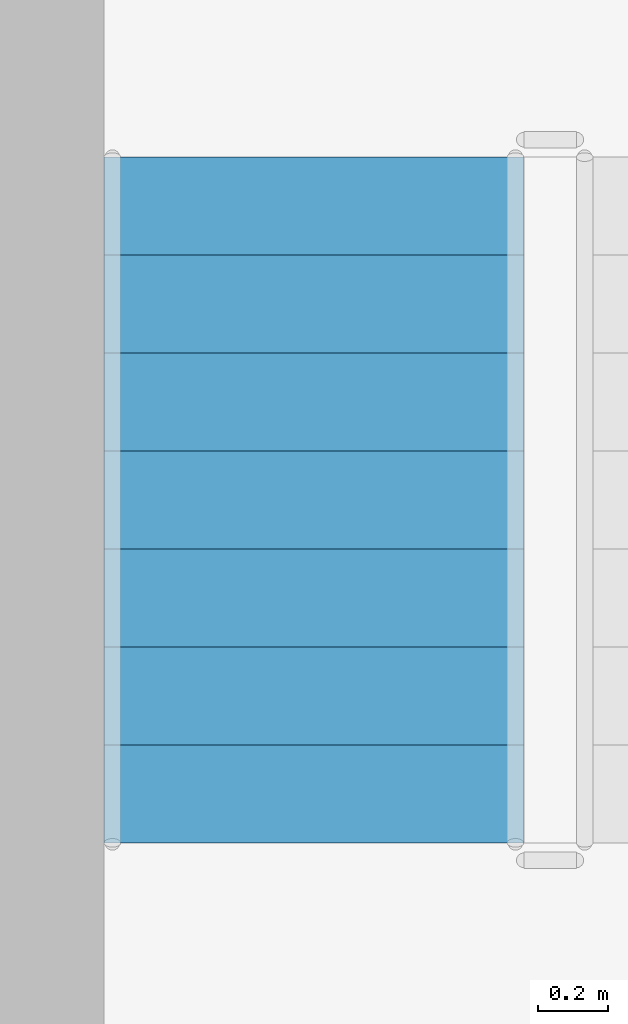
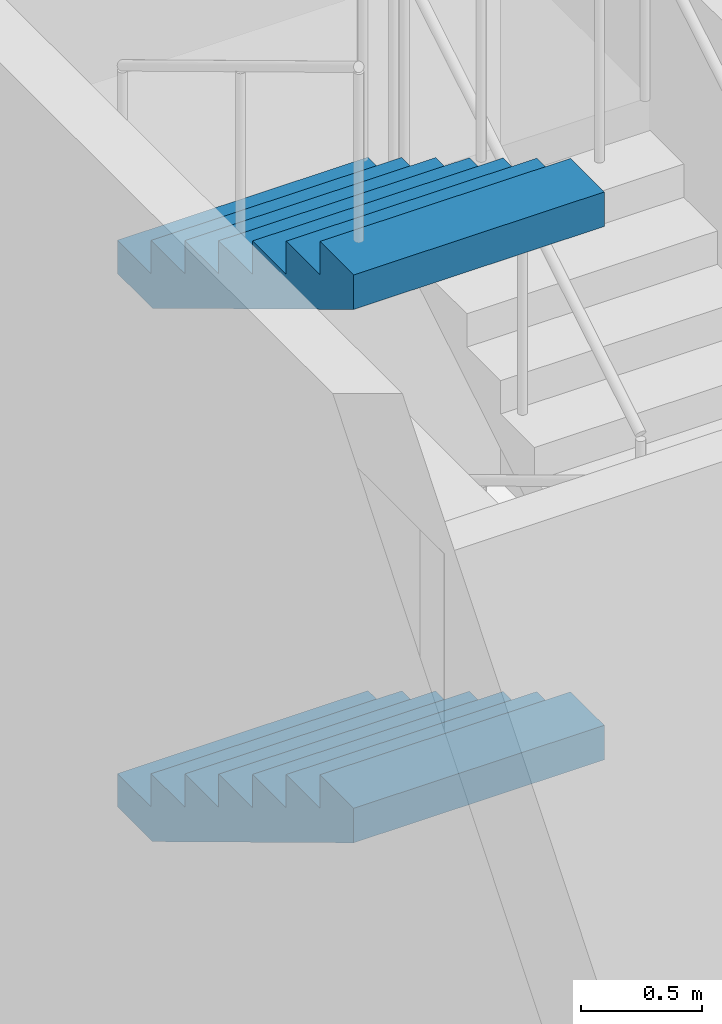
# One storey, part 55 of 101: 2 stair flights, 1 element without a shape of its own.
"""IFC4 building model written with IfcOpenShell, lengths in metres."""

import ifcopenshell
import ifcopenshell.guid

model = None  # the IFC model being written
_history = None  # IfcOwnerHistory: only IFC2X3 demands one
_inside = {}  # id of a spatial element -> (the spatial element, [elements in it])
_under = {}  # id of a project, library or spatial element -> (it, [spatial elements below it])
_declared = {}  # id of a project -> (the project, [libraries it declares])
_typed = {}  # id of a type object -> (the type object, [elements of that type])
_made_of = {}  # id of a material, layer set ... -> (it, [elements and type objects made of it])


def new_model(schema):
    """Start an empty IFC model of exactly this schema.

    Asked for "IFC4X3", IfcOpenShell would pick the latest addendum, in which some entities
    have other attributes; the version numbers below select the first issue.
    IFC2X3 requires an IfcOwnerHistory on every rooted entity: one is made here for all.
    """
    global model, _history
    if schema == "IFC4X3":
        model = ifcopenshell.file(schema_version=(4, 3, 0, 0))
    else:
        model = ifcopenshell.file(schema=schema)
    _inside.clear()
    _under.clear()
    _declared.clear()
    _typed.clear()
    _made_of.clear()
    _history = None
    if model.schema == "IFC2X3":
        org = make("IfcOrganization", Name="unknown")
        user = make(
            "IfcPersonAndOrganization",
            ThePerson=make("IfcPerson", FamilyName="unknown"),
            TheOrganization=org,
        )
        app = make(
            "IfcApplication",
            ApplicationDeveloper=org,
            Version="unknown",
            ApplicationFullName="unknown",
            ApplicationIdentifier="unknown",
        )
        _history = make(
            "IfcOwnerHistory",
            OwningUser=user,
            OwningApplication=app,
            ChangeAction="ADDED",
            CreationDate=0,
        )
    return model


def make(cls, **values):
    """One entity of the class cls with the attributes given. An attribute that is None is left unset."""
    return model.create_entity(
        cls, **{name: value for name, value in values.items() if value is not None}
    )


def rooted(cls, **values):
    """An entity with a GlobalId (a new one), such as an element, a storey or a relation."""
    return make(cls, GlobalId=ifcopenshell.guid.new(), OwnerHistory=_history, **values)


def si_unit(unit_type, name, prefix=None):
    """IfcSIUnit, for example si_unit("LENGTHUNIT", "METRE", prefix="MILLI")."""
    return make("IfcSIUnit", UnitType=unit_type, Prefix=prefix, Name=name)


def assignment(units):
    """IfcUnitAssignment: the units of a project."""
    return None if units is None else make("IfcUnitAssignment", Units=units)


def point(xyz):
    """IfcCartesianPoint."""
    return None if xyz is None else make("IfcCartesianPoint", Coordinates=xyz)


def direction(xyz):
    """IfcDirection."""
    return None if xyz is None else make("IfcDirection", DirectionRatios=xyz)


def frame(location, z_axis=None, x_axis=None):
    """IfcAxis2Placement3D, a coordinate frame: its origin and axes. An axis left out is left unset."""
    return make(
        "IfcAxis2Placement3D",
        Location=point(location),
        Axis=direction(z_axis),
        RefDirection=direction(x_axis),
    )


def origin():
    """The frame at (0, 0, 0) with its axes left unset."""
    return frame((0.0, 0.0, 0.0))


def place(relative_to, where):
    """IfcLocalPlacement: puts the frame where relative to a parent placement (None: the world)."""
    return make(
        "IfcLocalPlacement", PlacementRelTo=relative_to, RelativePlacement=where
    )


def context(
    kind, dimensions, precision=None, world=None, true_north=None, identifier=None
):
    """IfcGeometricRepresentationContext, for example the 3D "Model" context."""
    return make(
        "IfcGeometricRepresentationContext",
        ContextIdentifier=identifier,
        ContextType=kind,
        CoordinateSpaceDimension=dimensions,
        Precision=precision,
        WorldCoordinateSystem=world,
        TrueNorth=true_north,
    )


def subcontext(parent, identifier, kind, view, scale=None):
    """IfcGeometricRepresentationSubContext, for example "Body" below "Model"."""
    return make(
        "IfcGeometricRepresentationSubContext",
        ContextIdentifier=identifier,
        ContextType=kind,
        ParentContext=parent,
        TargetScale=scale,
        TargetView=view,
    )


def project(units=None, contexts=None):
    """IfcProject with its units and contexts."""
    return rooted(
        "IfcProject",
        Name="project",
        RepresentationContexts=contexts,
        UnitsInContext=assignment(units),
    )


def spatial(cls, under=None, at=None, **own):
    """A site, building, storey or space (cls), placed at a placement, below another one or the project."""
    s = rooted(cls, ObjectPlacement=at, **own)
    if under is not None:
        _under.setdefault(under.id(), (under, []))[1].append(s)
    return s


def point_list(points):
    """IfcCartesianPointList2D or 3D."""
    cls = (
        "IfcCartesianPointList2D" if len(points[0]) == 2 else "IfcCartesianPointList3D"
    )
    return make(cls, CoordList=points)


def triangles(points, corners, closed=None, point_numbers=None):
    """IfcTriangulatedFaceSet: each triangle names its three corners, points numbered from 1."""
    return make(
        "IfcTriangulatedFaceSet",
        Coordinates=point_list(points),
        Closed=closed,
        CoordIndex=corners,
        PnIndex=point_numbers,
    )


def shape(context_of_items, identifier, shape_type, items):
    """IfcShapeRepresentation: the items that make up one representation, for example the "Body"."""
    return make(
        "IfcShapeRepresentation",
        ContextOfItems=context_of_items,
        RepresentationIdentifier=identifier,
        RepresentationType=shape_type,
        Items=items,
    )


def material(Name=None, Category=None):
    """IfcMaterial."""
    return make("IfcMaterial", Name=Name, Category=Category)


def made_of(thing, what):
    """Note that an element or type object is made of a material, layer set ...; save() writes the relation."""
    if what is not None:
        _made_of.setdefault(what.id(), (what, []))[1].append(thing)
    return thing


def type_object(cls, material=None, **own):
    """A type object (cls), such as IfcWallType, which elements share."""
    return made_of(rooted(cls, **own), material)


def element(
    cls,
    number,
    at=None,
    inside=None,
    cuts=None,
    type_object=None,
    material=None,
    context=None,
    identifier="Body",
    shape_type=None,
    held_by="IfcProductDefinitionShape",
    body=None,
    shapes=None,
    **own,
):
    """One element of the class cls, such as IfcWall. Its Tag is "e" and its number.

    at: its placement. inside: the storey or other place that contains it. cuts: it is an
    opening in that element (IfcRelVoidsElement). A single representation is given by context,
    identifier, shape_type and body (its items); several are given by shapes. held_by: the class
    of the entity that holds the representations. save() writes the other relations.
    """
    e = rooted(cls, Tag="e%d" % number, ObjectPlacement=at, **own)
    if body is not None:
        shapes = [shape(context, identifier, shape_type, body)]
    if shapes is not None:
        e.Representation = make(held_by, Representations=shapes)
    if inside is not None:
        _inside.setdefault(inside.id(), (inside, []))[1].append(e)
    if cuts is not None:
        rooted(
            "IfcRelVoidsElement", RelatingBuildingElement=cuts, RelatedOpeningElement=e
        )
    if type_object is not None:
        _typed.setdefault(type_object.id(), (type_object, []))[1].append(e)
    return made_of(e, material)


def aggregate(whole, parts):
    """IfcRelAggregates: a whole, such as a stair, and the parts it consists of."""
    return rooted("IfcRelAggregates", RelatingObject=whole, RelatedObjects=parts)


def save(model, path):
    """Write the relations noted so far, then the file.

    IfcRelAggregates (storeys below a building ...), IfcRelContainedInSpatialStructure (elements
    in a storey), IfcRelDefinesByType, IfcRelAssociatesMaterial and IfcRelDeclares: one each for
    every whole, place, type object, material and project.
    """
    for whole, parts in _under.values():
        aggregate(whole, parts)
    for where, things in _inside.values():
        rooted(
            "IfcRelContainedInSpatialStructure",
            RelatedElements=things,
            RelatingStructure=where,
        )
    for kind, things in _typed.values():
        rooted("IfcRelDefinesByType", RelatedObjects=things, RelatingType=kind)
    for what, things in _made_of.values():
        rooted("IfcRelAssociatesMaterial", RelatedObjects=things, RelatingMaterial=what)
    for by, libraries in _declared.values():
        rooted("IfcRelDeclares", RelatingContext=by, RelatedDefinitions=libraries)
    model.write(path)


model = new_model("IFC4")

# Units and contexts
model_context = context("Model", 3, precision=1e-05, world=origin(), true_north=direction((0.0, 1.0)))
body_context = subcontext(model_context, "Body", "Model", "MODEL_VIEW")
ifc_project = project(units=[si_unit("LENGTHUNIT", "METRE"), si_unit("AREAUNIT", "SQUARE_METRE"), si_unit("VOLUMEUNIT", "CUBIC_METRE"), si_unit("PLANEANGLEUNIT", "RADIAN"), si_unit("MASSUNIT", "GRAM", prefix="KILO")], contexts=[model_context])

# Site, building, storey
site_placement = place(None, origin())
site = spatial("IfcSite", under=ifc_project, at=site_placement, CompositionType="ELEMENT")
building_placement = place(site_placement, origin())
building = spatial("IfcBuilding", under=site, at=building_placement, Name="Magnolia Steps Interchange", CompositionType="ELEMENT")
storey_placement = place(building_placement, frame((0.0, 0.0, -5.39990234375)))
storey = spatial("IfcBuildingStorey", under=building, at=storey_placement, Name="B1", CompositionType="ELEMENT", Elevation=-5.39990234375)

# Stair, stair flights
ifc_material_1 = material(Name="Concrete C40", Category="concrete")
stair_type = type_object("IfcStairType", Name="Exit stair 1200", PredefinedType="HALF_TURN_STAIR", material=ifc_material_1)
stair_placement = place(storey_placement, origin())
stair = element("IfcStair", 1, at=stair_placement, inside=storey, type_object=stair_type, Name="B1 Stair 21", PredefinedType="HALF_TURN_STAIR")
ifc_material_2 = material(Name="Concrete C40", Category="concrete")
stair_flight_type = type_object("IfcStairFlightType", Name="Exit stair flight", PredefinedType="STRAIGHT", material=ifc_material_2)
stair_flight_1_placement = place(storey_placement, frame((129.89990234375, 40.659912109375, 1.349853515625), z_axis=(0.0, 0.0, 1.0), x_axis=(0.0, -1.0, 0.0)))
stair_flight_1 = element("IfcStairFlight", 2, at=stair_flight_1_placement, type_object=stair_flight_type, Name="Stair 21 flight 2", NumberOfRisers=8, NumberOfTreads=7, PredefinedType="STRAIGHT", RiserHeight=0.16875, TreadLength=0.28, context=body_context, shape_type="Tessellation", body=[
    triangles([(0.0, -0.5999755859375, 0.0), (0.29052734375, -0.5999755859375, 0.0), (1.9599609375, -0.5999755859375, 1.00634765625), (1.9599609375, -0.5999755859375, 1.18115234375), (1.679931640625, -0.5999755859375, 1.18115234375), (1.679931640625, -0.5999755859375, 1.012451171875), (1.39990234375, -0.5999755859375, 1.012451171875), (1.39990234375, -0.5999755859375, 0.84375), (1.1201171875, -0.5999755859375, 0.84375), (1.1201171875, -0.5999755859375, 0.675048828125), (0.840087890625, -0.5999755859375, 0.675048828125), (0.840087890625, -0.5999755859375, 0.50634765625), (0.56005859375, -0.5999755859375, 0.50634765625), (0.56005859375, -0.5999755859375, 0.33740234375), (0.280029296875, -0.5999755859375, 0.33740234375), (0.280029296875, -0.5999755859375, 0.168701171875), (0.0, -0.5999755859375, 0.168701171875), (0.0, 0.5999755859375, 0.0), (0.29052734375, 0.5999755859375, 0.0), (1.9599609375, 0.5999755859375, 1.00634765625), (1.9599609375, 0.5999755859375, 1.18115234375), (1.679931640625, 0.5999755859375, 1.18115234375), (1.679931640625, 0.5999755859375, 1.012451171875), (1.39990234375, 0.5999755859375, 1.012451171875), (1.39990234375, 0.5999755859375, 0.84375), (1.1201171875, 0.5999755859375, 0.84375), (1.1201171875, 0.5999755859375, 0.675048828125), (0.840087890625, 0.5999755859375, 0.675048828125), (0.840087890625, 0.5999755859375, 0.50634765625), (0.56005859375, 0.5999755859375, 0.50634765625), (0.56005859375, 0.5999755859375, 0.33740234375), (0.280029296875, 0.5999755859375, 0.33740234375), (0.280029296875, 0.5999755859375, 0.168701171875), (0.0, 0.5999755859375, 0.168701171875), (0.0, 0.0, 0.0), (0.0, 0.0, 0.04217529296875), (0.0, 0.0, 0.0843505859375), (0.0, 0.0, 0.12652587890625), (0.0, 0.0, 0.168701171875), (0.0, -0.05, 0.0), (0.0, -0.05, 0.168701171875), (0.0, 0.05, 0.0), (0.0, 0.05, 0.168701171875), (0.046671549479166664, 0.0, 0.168701171875), (0.09334309895833333, 0.0, 0.168701171875), (0.1400146484375, 0.0, 0.168701171875), (0.18668619791666666, 0.0, 0.168701171875), (0.23335774739583334, 0.0, 0.168701171875), (0.280029296875, 0.0, 0.168701171875), (0.280029296875, -0.05, 0.168701171875), (0.280029296875, 0.05, 0.168701171875), (0.280029296875, 0.0, 0.21087646484375), (0.280029296875, 0.0, 0.2530517578125), (0.280029296875, 0.0, 0.29522705078125), (0.280029296875, 0.0, 0.33740234375), (0.280029296875, -0.05, 0.33740234375), (0.280029296875, 0.05, 0.33740234375), (0.3267008463541667, 0.0, 0.33740234375), (0.3733723958333333, 0.0, 0.33740234375), (0.4200439453125, 0.0, 0.33740234375), (0.46671549479166663, 0.0, 0.33740234375), (0.5133870442708334, 0.0, 0.33740234375), (0.56005859375, 0.0, 0.33740234375), (0.56005859375, -0.05, 0.33740234375), (0.56005859375, 0.05, 0.33740234375), (0.56005859375, 0.0, 0.379638671875), (0.56005859375, 0.0, 0.421875), (0.56005859375, 0.0, 0.464111328125), (0.56005859375, 0.0, 0.50634765625), (0.56005859375, -0.05, 0.50634765625), (0.56005859375, 0.05, 0.50634765625), (0.6067301432291666, 0.0, 0.50634765625), (0.6534016927083334, 0.0, 0.50634765625), (0.7000732421875, 0.0, 0.50634765625), (0.7467447916666666, 0.0, 0.50634765625), (0.7934163411458334, 0.0, 0.50634765625), (0.840087890625, 0.0, 0.50634765625), (0.840087890625, -0.05, 0.50634765625), (0.840087890625, 0.05, 0.50634765625), (0.840087890625, 0.0, 0.54852294921875), (0.840087890625, 0.0, 0.5906982421875), (0.840087890625, 0.0, 0.63287353515625), (0.840087890625, 0.0, 0.675048828125), (0.840087890625, -0.05, 0.675048828125), (0.840087890625, 0.05, 0.675048828125), (0.8867594401041666, 0.0, 0.675048828125), (0.9334309895833334, 0.0, 0.675048828125), (0.9801025390625, 0.0, 0.675048828125), (1.0267740885416667, 0.0, 0.675048828125), (1.0734456380208333, 0.0, 0.675048828125), (1.1201171875, 0.0, 0.675048828125), (1.1201171875, -0.05, 0.675048828125), (1.1201171875, 0.05, 0.675048828125), (1.1201171875, 0.0, 0.71722412109375), (1.1201171875, 0.0, 0.7593994140625), (1.1201171875, 0.0, 0.80157470703125), (1.1201171875, 0.0, 0.84375), (1.1201171875, -0.05, 0.84375), (1.1201171875, 0.05, 0.84375), (1.1900634765625, 0.0, 0.84375), (1.260009765625, 0.0, 0.84375), (1.3299560546875, 0.0, 0.84375), (1.39990234375, 0.0, 0.84375), (1.39990234375, -0.05, 0.84375), (1.39990234375, 0.05, 0.84375), (1.39990234375, 0.0, 0.88592529296875), (1.39990234375, 0.0, 0.9281005859375), (1.39990234375, 0.0, 0.97027587890625), (1.39990234375, 0.0, 1.012451171875), (1.39990234375, -0.05, 1.012451171875), (1.39990234375, 0.05, 1.012451171875), (1.4465738932291667, 0.0, 1.012451171875), (1.4932454427083333, 0.0, 1.012451171875), (1.5399169921875, 0.0, 1.012451171875), (1.5865885416666667, 0.0, 1.012451171875), (1.6332600911458333, 0.0, 1.012451171875), (1.679931640625, 0.0, 1.012451171875), (1.679931640625, -0.05, 1.012451171875), (1.679931640625, 0.05, 1.012451171875), (1.679931640625, 0.0, 1.05462646484375), (1.679931640625, 0.0, 1.0968017578125), (1.679931640625, 0.0, 1.13897705078125), (1.679931640625, 0.0, 1.18115234375), (1.679931640625, -0.05, 1.18115234375), (1.679931640625, 0.05, 1.18115234375), (1.7266031901041667, 0.0, 1.18115234375), (1.7732747395833333, 0.0, 1.18115234375), (1.8199462890625, 0.0, 1.18115234375), (1.8666178385416667, 0.0, 1.18115234375), (1.9132893880208333, 0.0, 1.18115234375), (1.9599609375, 0.0, 1.18115234375), (1.9599609375, -0.05, 1.18115234375), (1.9599609375, 0.05, 1.18115234375), (1.9599609375, 0.0, 1.137451171875), (1.9599609375, 0.0, 1.09375), (1.9599609375, 0.0, 1.050048828125), (1.9599609375, 0.0, 1.00634765625), (1.9599609375, -0.05, 1.00634765625), (1.9599609375, 0.05, 1.00634765625), (1.9003383091517858, 0.0, 0.9704066685267857), (1.8407156808035714, 0.0, 0.9344656808035714), (1.7810930524553572, 0.0, 0.8985246930803571), (1.7214704241071428, 0.0, 0.8625837053571428), (1.6618477957589286, 0.0, 0.8266427176339286), (1.6022251674107144, 0.0, 0.7907017299107143), (1.5426025390625, 0.0, 0.7547607421875), (1.4829799107142856, 0.0, 0.7188197544642857), (1.4233572823660714, 0.0, 0.6828787667410714), (1.3637346540178572, 0.0, 0.6469377790178572), (1.3041120256696428, 0.0, 0.6109967912946428), (1.2444893973214286, 0.0, 0.5750558035714286), (1.1848667689732144, 0.0, 0.5391148158482143), (1.125244140625, 0.0, 0.503173828125), (1.0656215122767856, 0.0, 0.4672328404017857), (1.0059988839285714, 0.0, 0.4312918526785714), (0.9463762555803572, 0.0, 0.3953508649553571), (0.8867536272321428, 0.0, 0.3594098772321429), (0.8271309988839286, 0.0, 0.3234688895089286), (0.7675083705357142, 0.0, 0.2875279017857143), (0.7078857421875, 0.0, 0.2515869140625), (0.6482631138392858, 0.0, 0.2156459263392857), (0.5886404854910714, 0.0, 0.1797049386160714), (0.5290178571428572, 0.0, 0.1437639508928571), (0.4693952287946428, 0.0, 0.1078229631696429), (0.4097726004464286, 0.0, 0.0718819754464286), (0.3501499720982142, 0.0, 0.0359409877232143), (0.29052734375, 0.0, 0.0), (0.29052734375, -0.05, 0.0), (0.29052734375, 0.05, 0.0), (0.24210611979166666, 0.0, 0.0), (0.19368489583333331, 0.0, 0.0), (0.145263671875, 0.0, 0.0), (0.09684244791666666, 0.0, 0.0), (0.04842122395833334, 0.0, 0.0)], [[1, 2, 3], [3, 4, 5], [3, 5, 6], [3, 6, 7], [3, 7, 8], [8, 9, 10], [3, 8, 10], [10, 11, 12], [3, 10, 12], [12, 13, 14], [3, 12, 14], [14, 15, 16], [3, 14, 16], [1, 3, 16], [16, 17, 1], [18, 20, 19], [20, 22, 21], [20, 23, 22], [20, 24, 23], [20, 25, 24], [25, 27, 26], [20, 27, 25], [27, 29, 28], [20, 29, 27], [29, 31, 30], [20, 31, 29], [31, 33, 32], [20, 33, 31], [18, 33, 20], [33, 18, 34], [1, 17, 41], [1, 41, 40], [40, 36, 35], [40, 37, 36], [40, 41, 37], [41, 38, 37], [41, 39, 38], [18, 43, 34], [18, 42, 43], [42, 35, 36], [42, 36, 37], [42, 37, 43], [43, 37, 38], [43, 38, 39], [17, 16, 50], [17, 50, 41], [41, 44, 39], [41, 45, 44], [41, 46, 45], [41, 50, 46], [50, 47, 46], [50, 48, 47], [50, 49, 48], [34, 51, 33], [34, 43, 51], [43, 39, 44], [43, 44, 45], [43, 45, 46], [43, 46, 51], [51, 46, 47], [51, 47, 48], [51, 48, 49], [16, 15, 56], [16, 56, 50], [50, 52, 49], [50, 53, 52], [50, 56, 53], [56, 54, 53], [56, 55, 54], [33, 57, 32], [33, 51, 57], [51, 49, 52], [51, 52, 53], [51, 53, 57], [57, 53, 54], [57, 54, 55], [15, 14, 64], [15, 64, 56], [56, 58, 55], [56, 59, 58], [56, 60, 59], [56, 64, 60], [64, 61, 60], [64, 62, 61], [64, 63, 62], [32, 65, 31], [32, 57, 65], [57, 55, 58], [57, 58, 59], [57, 59, 60], [57, 60, 65], [65, 60, 61], [65, 61, 62], [65, 62, 63], [14, 13, 70], [14, 70, 64], [64, 66, 63], [64, 67, 66], [64, 70, 67], [70, 68, 67], [70, 69, 68], [31, 71, 30], [31, 65, 71], [65, 63, 66], [65, 66, 67], [65, 67, 71], [71, 67, 68], [71, 68, 69], [13, 12, 78], [13, 78, 70], [70, 72, 69], [70, 73, 72], [70, 74, 73], [70, 78, 74], [78, 75, 74], [78, 76, 75], [78, 77, 76], [30, 79, 29], [30, 71, 79], [71, 69, 72], [71, 72, 73], [71, 73, 74], [71, 74, 79], [79, 74, 75], [79, 75, 76], [79, 76, 77], [12, 11, 84], [12, 84, 78], [78, 80, 77], [78, 81, 80], [78, 84, 81], [84, 82, 81], [84, 83, 82], [29, 85, 28], [29, 79, 85], [79, 77, 80], [79, 80, 81], [79, 81, 85], [85, 81, 82], [85, 82, 83], [11, 10, 92], [11, 92, 84], [84, 86, 83], [84, 87, 86], [84, 88, 87], [84, 92, 88], [92, 89, 88], [92, 90, 89], [92, 91, 90], [28, 93, 27], [28, 85, 93], [85, 83, 86], [85, 86, 87], [85, 87, 88], [85, 88, 93], [93, 88, 89], [93, 89, 90], [93, 90, 91], [10, 9, 98], [10, 98, 92], [92, 94, 91], [92, 95, 94], [92, 98, 95], [98, 96, 95], [98, 97, 96], [27, 99, 26], [27, 93, 99], [93, 91, 94], [93, 94, 95], [93, 95, 99], [99, 95, 96], [99, 96, 97], [9, 8, 104], [9, 104, 98], [98, 100, 97], [98, 101, 100], [98, 104, 101], [104, 102, 101], [104, 103, 102], [26, 105, 25], [26, 99, 105], [99, 97, 100], [99, 100, 101], [99, 101, 105], [105, 101, 102], [105, 102, 103], [8, 7, 110], [8, 110, 104], [104, 106, 103], [104, 107, 106], [104, 110, 107], [110, 108, 107], [110, 109, 108], [25, 111, 24], [25, 105, 111], [105, 103, 106], [105, 106, 107], [105, 107, 111], [111, 107, 108], [111, 108, 109], [7, 6, 118], [7, 118, 110], [110, 112, 109], [110, 113, 112], [110, 114, 113], [110, 118, 114], [118, 115, 114], [118, 116, 115], [118, 117, 116], [24, 119, 23], [24, 111, 119], [111, 109, 112], [111, 112, 113], [111, 113, 114], [111, 114, 119], [119, 114, 115], [119, 115, 116], [119, 116, 117], [6, 5, 124], [6, 124, 118], [118, 120, 117], [118, 121, 120], [118, 124, 121], [124, 122, 121], [124, 123, 122], [23, 125, 22], [23, 119, 125], [119, 117, 120], [119, 120, 121], [119, 121, 125], [125, 121, 122], [125, 122, 123], [5, 4, 132], [5, 132, 124], [124, 126, 123], [124, 127, 126], [124, 128, 127], [124, 132, 128], [132, 129, 128], [132, 130, 129], [132, 131, 130], [22, 133, 21], [22, 125, 133], [125, 123, 126], [125, 126, 127], [125, 127, 128], [125, 128, 133], [133, 128, 129], [133, 129, 130], [133, 130, 131], [4, 3, 138], [4, 138, 132], [132, 134, 131], [132, 135, 134], [132, 138, 135], [138, 136, 135], [138, 137, 136], [21, 139, 20], [21, 133, 139], [133, 131, 134], [133, 134, 135], [133, 135, 139], [139, 135, 136], [139, 136, 137], [3, 2, 168], [3, 168, 138], [138, 140, 137], [138, 141, 140], [138, 142, 141], [138, 143, 142], [138, 144, 143], [138, 145, 144], [138, 146, 145], [138, 147, 146], [138, 148, 147], [138, 149, 148], [138, 150, 149], [138, 151, 150], [138, 152, 151], [138, 153, 152], [138, 168, 153], [168, 154, 153], [168, 155, 154], [168, 156, 155], [168, 157, 156], [168, 158, 157], [168, 159, 158], [168, 160, 159], [168, 161, 160], [168, 162, 161], [168, 163, 162], [168, 164, 163], [168, 165, 164], [168, 166, 165], [168, 167, 166], [20, 169, 19], [20, 139, 169], [139, 137, 140], [139, 140, 141], [139, 141, 142], [139, 142, 143], [139, 143, 144], [139, 144, 145], [139, 145, 146], [139, 146, 147], [139, 147, 148], [139, 148, 149], [139, 149, 150], [139, 150, 151], [139, 151, 152], [139, 152, 153], [139, 153, 169], [169, 153, 154], [169, 154, 155], [169, 155, 156], [169, 156, 157], [169, 157, 158], [169, 158, 159], [169, 159, 160], [169, 160, 161], [169, 161, 162], [169, 162, 163], [169, 163, 164], [169, 164, 165], [169, 165, 166], [169, 166, 167], [2, 1, 40], [2, 40, 168], [168, 170, 167], [168, 171, 170], [168, 172, 171], [168, 40, 172], [40, 173, 172], [40, 174, 173], [40, 35, 174], [19, 42, 18], [19, 169, 42], [169, 167, 170], [169, 170, 171], [169, 171, 172], [169, 172, 42], [42, 172, 173], [42, 173, 174], [42, 174, 35]], closed=True),
])
stair_flight_2_placement = place(storey_placement, frame((129.89990234375, 40.659912109375, 4.0498046875), z_axis=(0.0, 0.0, 1.0), x_axis=(0.0, -1.0, 0.0)))
stair_flight_2 = element("IfcStairFlight", 3, at=stair_flight_2_placement, type_object=stair_flight_type, Name="Stair 21 flight 4", NumberOfRisers=8, NumberOfTreads=7, PredefinedType="STRAIGHT", RiserHeight=0.16875, TreadLength=0.28, context=body_context, shape_type="Tessellation", body=[
    triangles([(0.0, -0.5999755859375, 0.0), (0.29052734375, -0.5999755859375, 0.0), (1.9599609375, -0.5999755859375, 1.00634765625), (1.9599609375, -0.5999755859375, 1.18115234375), (1.679931640625, -0.5999755859375, 1.18115234375), (1.679931640625, -0.5999755859375, 1.012451171875), (1.39990234375, -0.5999755859375, 1.012451171875), (1.39990234375, -0.5999755859375, 0.84375), (1.1201171875, -0.5999755859375, 0.84375), (1.1201171875, -0.5999755859375, 0.675048828125), (0.840087890625, -0.5999755859375, 0.675048828125), (0.840087890625, -0.5999755859375, 0.50634765625), (0.56005859375, -0.5999755859375, 0.50634765625), (0.56005859375, -0.5999755859375, 0.33740234375), (0.280029296875, -0.5999755859375, 0.33740234375), (0.280029296875, -0.5999755859375, 0.168701171875), (0.0, -0.5999755859375, 0.168701171875), (0.0, 0.5999755859375, 0.0), (0.29052734375, 0.5999755859375, 0.0), (1.9599609375, 0.5999755859375, 1.00634765625), (1.9599609375, 0.5999755859375, 1.18115234375), (1.679931640625, 0.5999755859375, 1.18115234375), (1.679931640625, 0.5999755859375, 1.012451171875), (1.39990234375, 0.5999755859375, 1.012451171875), (1.39990234375, 0.5999755859375, 0.84375), (1.1201171875, 0.5999755859375, 0.84375), (1.1201171875, 0.5999755859375, 0.675048828125), (0.840087890625, 0.5999755859375, 0.675048828125), (0.840087890625, 0.5999755859375, 0.50634765625), (0.56005859375, 0.5999755859375, 0.50634765625), (0.56005859375, 0.5999755859375, 0.33740234375), (0.280029296875, 0.5999755859375, 0.33740234375), (0.280029296875, 0.5999755859375, 0.168701171875), (0.0, 0.5999755859375, 0.168701171875), (0.0, 0.0, 0.0), (0.0, 0.0, 0.04217529296875), (0.0, 0.0, 0.0843505859375), (0.0, 0.0, 0.12652587890625), (0.0, 0.0, 0.168701171875), (0.0, -0.05, 0.0), (0.0, -0.05, 0.168701171875), (0.0, 0.05, 0.0), (0.0, 0.05, 0.168701171875), (0.046671549479166664, 0.0, 0.168701171875), (0.09334309895833333, 0.0, 0.168701171875), (0.1400146484375, 0.0, 0.168701171875), (0.18668619791666666, 0.0, 0.168701171875), (0.23335774739583334, 0.0, 0.168701171875), (0.280029296875, 0.0, 0.168701171875), (0.280029296875, -0.05, 0.168701171875), (0.280029296875, 0.05, 0.168701171875), (0.280029296875, 0.0, 0.21087646484375), (0.280029296875, 0.0, 0.2530517578125), (0.280029296875, 0.0, 0.29522705078125), (0.280029296875, 0.0, 0.33740234375), (0.280029296875, -0.05, 0.33740234375), (0.280029296875, 0.05, 0.33740234375), (0.3267008463541667, 0.0, 0.33740234375), (0.3733723958333333, 0.0, 0.33740234375), (0.4200439453125, 0.0, 0.33740234375), (0.46671549479166663, 0.0, 0.33740234375), (0.5133870442708334, 0.0, 0.33740234375), (0.56005859375, 0.0, 0.33740234375), (0.56005859375, -0.05, 0.33740234375), (0.56005859375, 0.05, 0.33740234375), (0.56005859375, 0.0, 0.379638671875), (0.56005859375, 0.0, 0.421875), (0.56005859375, 0.0, 0.464111328125), (0.56005859375, 0.0, 0.50634765625), (0.56005859375, -0.05, 0.50634765625), (0.56005859375, 0.05, 0.50634765625), (0.6067301432291666, 0.0, 0.50634765625), (0.6534016927083334, 0.0, 0.50634765625), (0.7000732421875, 0.0, 0.50634765625), (0.7467447916666666, 0.0, 0.50634765625), (0.7934163411458334, 0.0, 0.50634765625), (0.840087890625, 0.0, 0.50634765625), (0.840087890625, -0.05, 0.50634765625), (0.840087890625, 0.05, 0.50634765625), (0.840087890625, 0.0, 0.54852294921875), (0.840087890625, 0.0, 0.5906982421875), (0.840087890625, 0.0, 0.63287353515625), (0.840087890625, 0.0, 0.675048828125), (0.840087890625, -0.05, 0.675048828125), (0.840087890625, 0.05, 0.675048828125), (0.8867594401041666, 0.0, 0.675048828125), (0.9334309895833334, 0.0, 0.675048828125), (0.9801025390625, 0.0, 0.675048828125), (1.0267740885416667, 0.0, 0.675048828125), (1.0734456380208333, 0.0, 0.675048828125), (1.1201171875, 0.0, 0.675048828125), (1.1201171875, -0.05, 0.675048828125), (1.1201171875, 0.05, 0.675048828125), (1.1201171875, 0.0, 0.71722412109375), (1.1201171875, 0.0, 0.7593994140625), (1.1201171875, 0.0, 0.80157470703125), (1.1201171875, 0.0, 0.84375), (1.1201171875, -0.05, 0.84375), (1.1201171875, 0.05, 0.84375), (1.1900634765625, 0.0, 0.84375), (1.260009765625, 0.0, 0.84375), (1.3299560546875, 0.0, 0.84375), (1.39990234375, 0.0, 0.84375), (1.39990234375, -0.05, 0.84375), (1.39990234375, 0.05, 0.84375), (1.39990234375, 0.0, 0.88592529296875), (1.39990234375, 0.0, 0.9281005859375), (1.39990234375, 0.0, 0.97027587890625), (1.39990234375, 0.0, 1.012451171875), (1.39990234375, -0.05, 1.012451171875), (1.39990234375, 0.05, 1.012451171875), (1.4465738932291667, 0.0, 1.012451171875), (1.4932454427083333, 0.0, 1.012451171875), (1.5399169921875, 0.0, 1.012451171875), (1.5865885416666667, 0.0, 1.012451171875), (1.6332600911458333, 0.0, 1.012451171875), (1.679931640625, 0.0, 1.012451171875), (1.679931640625, -0.05, 1.012451171875), (1.679931640625, 0.05, 1.012451171875), (1.679931640625, 0.0, 1.05462646484375), (1.679931640625, 0.0, 1.0968017578125), (1.679931640625, 0.0, 1.13897705078125), (1.679931640625, 0.0, 1.18115234375), (1.679931640625, -0.05, 1.18115234375), (1.679931640625, 0.05, 1.18115234375), (1.7266031901041667, 0.0, 1.18115234375), (1.7732747395833333, 0.0, 1.18115234375), (1.8199462890625, 0.0, 1.18115234375), (1.8666178385416667, 0.0, 1.18115234375), (1.9132893880208333, 0.0, 1.18115234375), (1.9599609375, 0.0, 1.18115234375), (1.9599609375, -0.05, 1.18115234375), (1.9599609375, 0.05, 1.18115234375), (1.9599609375, 0.0, 1.137451171875), (1.9599609375, 0.0, 1.09375), (1.9599609375, 0.0, 1.050048828125), (1.9599609375, 0.0, 1.00634765625), (1.9599609375, -0.05, 1.00634765625), (1.9599609375, 0.05, 1.00634765625), (1.9003383091517858, 0.0, 0.9704066685267857), (1.8407156808035714, 0.0, 0.9344656808035714), (1.7810930524553572, 0.0, 0.8985246930803571), (1.7214704241071428, 0.0, 0.8625837053571428), (1.6618477957589286, 0.0, 0.8266427176339286), (1.6022251674107144, 0.0, 0.7907017299107143), (1.5426025390625, 0.0, 0.7547607421875), (1.4829799107142856, 0.0, 0.7188197544642857), (1.4233572823660714, 0.0, 0.6828787667410714), (1.3637346540178572, 0.0, 0.6469377790178572), (1.3041120256696428, 0.0, 0.6109967912946428), (1.2444893973214286, 0.0, 0.5750558035714286), (1.1848667689732144, 0.0, 0.5391148158482143), (1.125244140625, 0.0, 0.503173828125), (1.0656215122767856, 0.0, 0.4672328404017857), (1.0059988839285714, 0.0, 0.4312918526785714), (0.9463762555803572, 0.0, 0.3953508649553571), (0.8867536272321428, 0.0, 0.3594098772321429), (0.8271309988839286, 0.0, 0.3234688895089286), (0.7675083705357142, 0.0, 0.2875279017857143), (0.7078857421875, 0.0, 0.2515869140625), (0.6482631138392858, 0.0, 0.2156459263392857), (0.5886404854910714, 0.0, 0.1797049386160714), (0.5290178571428572, 0.0, 0.1437639508928571), (0.4693952287946428, 0.0, 0.1078229631696429), (0.4097726004464286, 0.0, 0.0718819754464286), (0.3501499720982142, 0.0, 0.0359409877232143), (0.29052734375, 0.0, 0.0), (0.29052734375, -0.05, 0.0), (0.29052734375, 0.05, 0.0), (0.24210611979166666, 0.0, 0.0), (0.19368489583333331, 0.0, 0.0), (0.145263671875, 0.0, 0.0), (0.09684244791666666, 0.0, 0.0), (0.04842122395833334, 0.0, 0.0)], [[1, 2, 3], [3, 4, 5], [3, 5, 6], [3, 6, 7], [3, 7, 8], [8, 9, 10], [3, 8, 10], [10, 11, 12], [3, 10, 12], [12, 13, 14], [3, 12, 14], [14, 15, 16], [3, 14, 16], [1, 3, 16], [16, 17, 1], [18, 20, 19], [20, 22, 21], [20, 23, 22], [20, 24, 23], [20, 25, 24], [25, 27, 26], [20, 27, 25], [27, 29, 28], [20, 29, 27], [29, 31, 30], [20, 31, 29], [31, 33, 32], [20, 33, 31], [18, 33, 20], [33, 18, 34], [1, 17, 41], [1, 41, 40], [40, 36, 35], [40, 37, 36], [40, 41, 37], [41, 38, 37], [41, 39, 38], [18, 43, 34], [18, 42, 43], [42, 35, 36], [42, 36, 37], [42, 37, 43], [43, 37, 38], [43, 38, 39], [17, 16, 50], [17, 50, 41], [41, 44, 39], [41, 45, 44], [41, 46, 45], [41, 50, 46], [50, 47, 46], [50, 48, 47], [50, 49, 48], [34, 51, 33], [34, 43, 51], [43, 39, 44], [43, 44, 45], [43, 45, 46], [43, 46, 51], [51, 46, 47], [51, 47, 48], [51, 48, 49], [16, 15, 56], [16, 56, 50], [50, 52, 49], [50, 53, 52], [50, 56, 53], [56, 54, 53], [56, 55, 54], [33, 57, 32], [33, 51, 57], [51, 49, 52], [51, 52, 53], [51, 53, 57], [57, 53, 54], [57, 54, 55], [15, 14, 64], [15, 64, 56], [56, 58, 55], [56, 59, 58], [56, 60, 59], [56, 64, 60], [64, 61, 60], [64, 62, 61], [64, 63, 62], [32, 65, 31], [32, 57, 65], [57, 55, 58], [57, 58, 59], [57, 59, 60], [57, 60, 65], [65, 60, 61], [65, 61, 62], [65, 62, 63], [14, 13, 70], [14, 70, 64], [64, 66, 63], [64, 67, 66], [64, 70, 67], [70, 68, 67], [70, 69, 68], [31, 71, 30], [31, 65, 71], [65, 63, 66], [65, 66, 67], [65, 67, 71], [71, 67, 68], [71, 68, 69], [13, 12, 78], [13, 78, 70], [70, 72, 69], [70, 73, 72], [70, 74, 73], [70, 78, 74], [78, 75, 74], [78, 76, 75], [78, 77, 76], [30, 79, 29], [30, 71, 79], [71, 69, 72], [71, 72, 73], [71, 73, 74], [71, 74, 79], [79, 74, 75], [79, 75, 76], [79, 76, 77], [12, 11, 84], [12, 84, 78], [78, 80, 77], [78, 81, 80], [78, 84, 81], [84, 82, 81], [84, 83, 82], [29, 85, 28], [29, 79, 85], [79, 77, 80], [79, 80, 81], [79, 81, 85], [85, 81, 82], [85, 82, 83], [11, 10, 92], [11, 92, 84], [84, 86, 83], [84, 87, 86], [84, 88, 87], [84, 92, 88], [92, 89, 88], [92, 90, 89], [92, 91, 90], [28, 93, 27], [28, 85, 93], [85, 83, 86], [85, 86, 87], [85, 87, 88], [85, 88, 93], [93, 88, 89], [93, 89, 90], [93, 90, 91], [10, 9, 98], [10, 98, 92], [92, 94, 91], [92, 95, 94], [92, 98, 95], [98, 96, 95], [98, 97, 96], [27, 99, 26], [27, 93, 99], [93, 91, 94], [93, 94, 95], [93, 95, 99], [99, 95, 96], [99, 96, 97], [9, 8, 104], [9, 104, 98], [98, 100, 97], [98, 101, 100], [98, 104, 101], [104, 102, 101], [104, 103, 102], [26, 105, 25], [26, 99, 105], [99, 97, 100], [99, 100, 101], [99, 101, 105], [105, 101, 102], [105, 102, 103], [8, 7, 110], [8, 110, 104], [104, 106, 103], [104, 107, 106], [104, 110, 107], [110, 108, 107], [110, 109, 108], [25, 111, 24], [25, 105, 111], [105, 103, 106], [105, 106, 107], [105, 107, 111], [111, 107, 108], [111, 108, 109], [7, 6, 118], [7, 118, 110], [110, 112, 109], [110, 113, 112], [110, 114, 113], [110, 118, 114], [118, 115, 114], [118, 116, 115], [118, 117, 116], [24, 119, 23], [24, 111, 119], [111, 109, 112], [111, 112, 113], [111, 113, 114], [111, 114, 119], [119, 114, 115], [119, 115, 116], [119, 116, 117], [6, 5, 124], [6, 124, 118], [118, 120, 117], [118, 121, 120], [118, 124, 121], [124, 122, 121], [124, 123, 122], [23, 125, 22], [23, 119, 125], [119, 117, 120], [119, 120, 121], [119, 121, 125], [125, 121, 122], [125, 122, 123], [5, 4, 132], [5, 132, 124], [124, 126, 123], [124, 127, 126], [124, 128, 127], [124, 132, 128], [132, 129, 128], [132, 130, 129], [132, 131, 130], [22, 133, 21], [22, 125, 133], [125, 123, 126], [125, 126, 127], [125, 127, 128], [125, 128, 133], [133, 128, 129], [133, 129, 130], [133, 130, 131], [4, 3, 138], [4, 138, 132], [132, 134, 131], [132, 135, 134], [132, 138, 135], [138, 136, 135], [138, 137, 136], [21, 139, 20], [21, 133, 139], [133, 131, 134], [133, 134, 135], [133, 135, 139], [139, 135, 136], [139, 136, 137], [3, 2, 168], [3, 168, 138], [138, 140, 137], [138, 141, 140], [138, 142, 141], [138, 143, 142], [138, 144, 143], [138, 145, 144], [138, 146, 145], [138, 147, 146], [138, 148, 147], [138, 149, 148], [138, 150, 149], [138, 151, 150], [138, 152, 151], [138, 153, 152], [138, 168, 153], [168, 154, 153], [168, 155, 154], [168, 156, 155], [168, 157, 156], [168, 158, 157], [168, 159, 158], [168, 160, 159], [168, 161, 160], [168, 162, 161], [168, 163, 162], [168, 164, 163], [168, 165, 164], [168, 166, 165], [168, 167, 166], [20, 169, 19], [20, 139, 169], [139, 137, 140], [139, 140, 141], [139, 141, 142], [139, 142, 143], [139, 143, 144], [139, 144, 145], [139, 145, 146], [139, 146, 147], [139, 147, 148], [139, 148, 149], [139, 149, 150], [139, 150, 151], [139, 151, 152], [139, 152, 153], [139, 153, 169], [169, 153, 154], [169, 154, 155], [169, 155, 156], [169, 156, 157], [169, 157, 158], [169, 158, 159], [169, 159, 160], [169, 160, 161], [169, 161, 162], [169, 162, 163], [169, 163, 164], [169, 164, 165], [169, 165, 166], [169, 166, 167], [2, 1, 40], [2, 40, 168], [168, 170, 167], [168, 171, 170], [168, 172, 171], [168, 40, 172], [40, 173, 172], [40, 174, 173], [40, 35, 174], [19, 42, 18], [19, 169, 42], [169, 167, 170], [169, 170, 171], [169, 171, 172], [169, 172, 42], [42, 172, 173], [42, 173, 174], [42, 174, 35]], closed=True),
])
aggregate(stair, [stair_flight_1, stair_flight_2])

save(model, "model.ifc")
